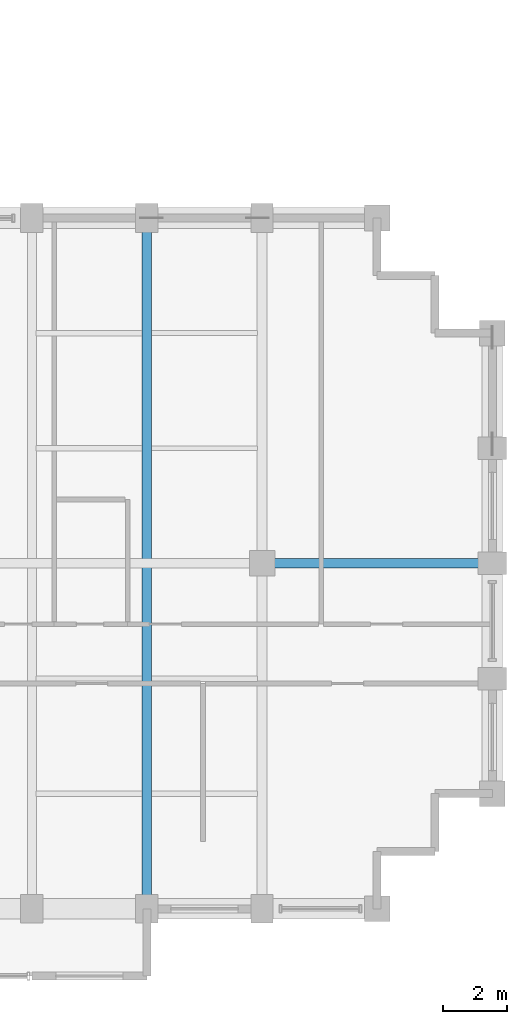
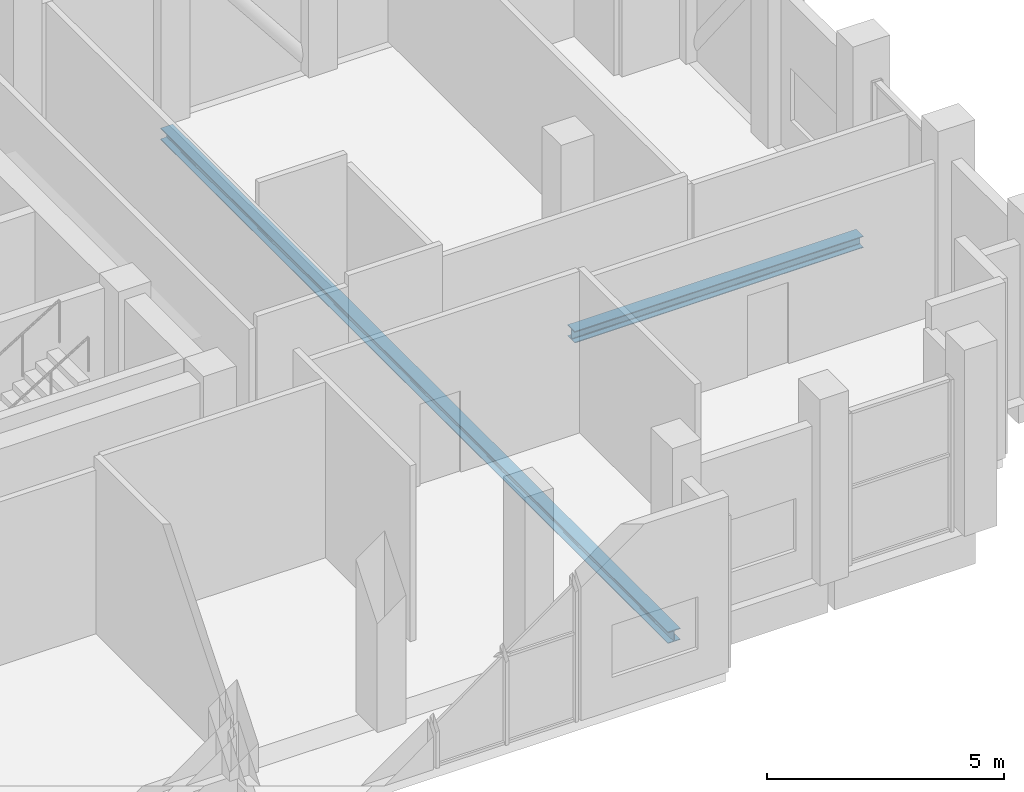
# One storey, part 9 of 16: 2 beams.
"""IFC4 building model written with IfcOpenShell, lengths in metres."""

from ifc_helpers import new_model, si_unit, direction, frame, origin, origin_2d, place, context, subcontext, project, spatial, i_section, extrude, material, material_profile, profile_set, type_object, element, save


model = new_model("IFC4")

# Units and contexts
model_context = context("Model", 3, precision=1e-05, world=origin(), true_north=direction((0.0, 1.0)))
body_context = subcontext(model_context, "Body", "Model", "MODEL_VIEW")
ifc_project = project(units=[si_unit("LENGTHUNIT", "METRE"), si_unit("AREAUNIT", "SQUARE_METRE"), si_unit("VOLUMEUNIT", "CUBIC_METRE"), si_unit("PLANEANGLEUNIT", "RADIAN"), si_unit("MASSUNIT", "GRAM", prefix="KILO")], contexts=[model_context])

# Site, building, storey
site_placement = place(None, origin())
site = spatial("IfcSite", under=ifc_project, at=site_placement, CompositionType="ELEMENT")
building_placement = place(site_placement, origin())
building = spatial("IfcBuilding", under=site, at=building_placement, Name="Solnavia Interchange Tower", CompositionType="ELEMENT")
storey_placement = place(building_placement, frame((0.0, 0.0, 209.0)))
storey = spatial("IfcBuildingStorey", under=building, at=storey_placement, Name="L52", CompositionType="ELEMENT", Elevation=209.0)

# Beams
ifc_material = material(Name="Steel S460", Category="steel")
ifc_material_profile = material_profile(ifc_material, i_section(OverallWidth=0.300048828125, OverallDepth=0.300048828125, WebThickness=0.010986328125, FlangeThickness=0.01904296875, FilletRadius=0.027099609375, at=origin_2d()), Name="HEB 300")
ifc_profile_set = profile_set([ifc_material_profile], Name="Steel S460")
beam_type = type_object("IfcBeamType", Name="Beam-Girder-HEB300", PredefinedType="BEAM", material=ifc_profile_set)
beam_1_placement = place(storey_placement, frame((43.280029296875, 14.39990234375, -0.469970703125), z_axis=(1.0, 0.0, 0.0), x_axis=(0.0, 1.0, 0.0)))
element("IfcBeam", 1, at=beam_1_placement, inside=storey, type_object=beam_type, Name="GRD-L52-ES02 East wing spine girder", PredefinedType="BEAM", context=body_context, shape_type="SweptSolid", body=[
    extrude(i_section(OverallWidth=0.300048828125, OverallDepth=0.300048828125, WebThickness=0.010986328125, FlangeThickness=0.01904296875, FilletRadius=0.027099609375, at=origin_2d()), origin(), (0.0, 0.0, 1.0), 7.0400390625),
])
beam_2_placement = place(storey_placement, frame((39.60009765625, 3.679931640625, -0.469970703125), z_axis=(0.0, 1.0, 0.0), x_axis=(-1.0, 0.0, 0.0)))
element("IfcBeam", 2, at=beam_2_placement, inside=storey, type_object=beam_type, Name="GRD-L52-EW04 East wing primary floor girder", PredefinedType="BEAM", context=body_context, shape_type="SweptSolid", body=[
    extrude(i_section(OverallWidth=0.300048828125, OverallDepth=0.300048828125, WebThickness=0.010986328125, FlangeThickness=0.01904296875, FilletRadius=0.027099609375, at=origin_2d()), origin(), (0.0, 0.0, 1.0), 21.440185546875),
])

save(model, "model.ifc")
